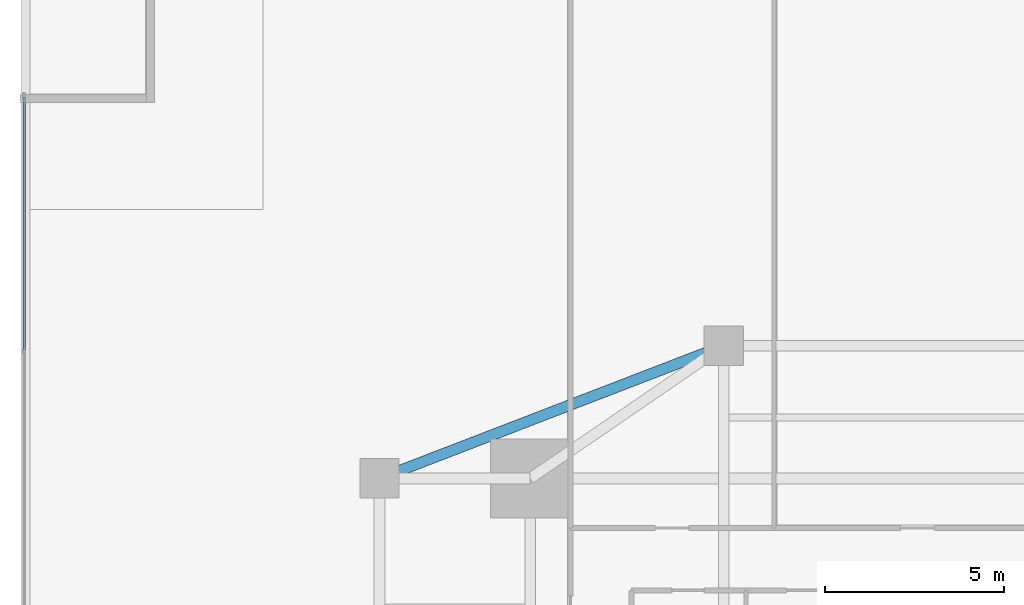
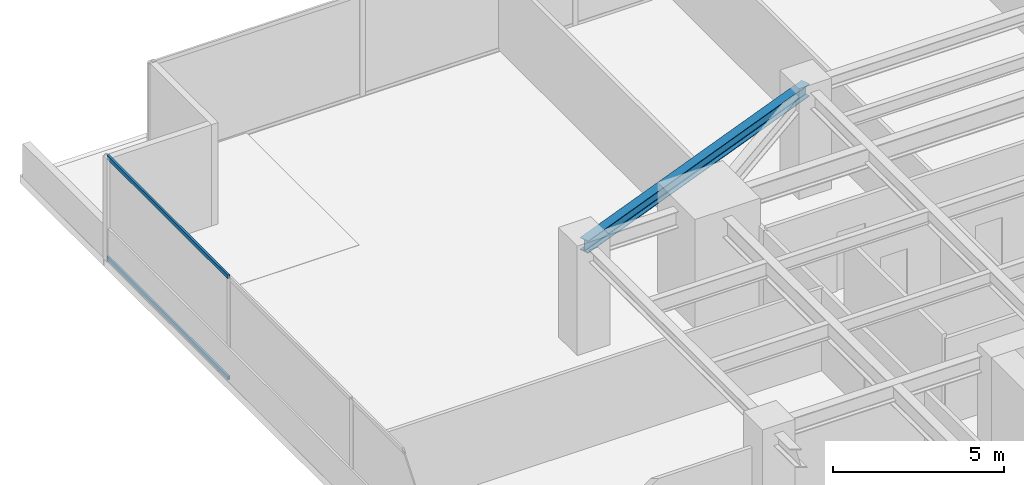
# One storey, part 16 of 30: 2 members, 1 beam, 1 element without a shape of its own.
"""IFC4 building model written with IfcOpenShell, lengths in metres."""

from ifc_helpers import new_model, si_unit, direction, frame, origin, origin_2d, place, context, subcontext, project, spatial, hollow_rectangle, i_section, extrude, source, transform, mapped, material, material_profile, profile_set, type_object, type_shapes, element, aggregate, save


model = new_model("IFC4")

# Units and contexts
model_context = context("Model", 3, precision=1e-05, world=origin(), true_north=direction((0.0, 1.0)))
body_context = subcontext(model_context, "Body", "Model", "MODEL_VIEW")
ifc_project = project(units=[si_unit("LENGTHUNIT", "METRE"), si_unit("AREAUNIT", "SQUARE_METRE"), si_unit("VOLUMEUNIT", "CUBIC_METRE"), si_unit("PLANEANGLEUNIT", "RADIAN"), si_unit("MASSUNIT", "GRAM", prefix="KILO")], contexts=[model_context])

# Site, building, storey
site_placement = place(None, origin())
site = spatial("IfcSite", under=ifc_project, at=site_placement, CompositionType="ELEMENT")
building_placement = place(site_placement, origin())
building = spatial("IfcBuilding", under=site, at=building_placement, Name="Krantzveldt Concourse Tower", CompositionType="ELEMENT")
storey_placement = place(building_placement, frame((0.0, 0.0, 25.0)))
storey = spatial("IfcBuildingStorey", under=building, at=storey_placement, Name="L05", CompositionType="ELEMENT", Elevation=25.0)

# Beam
ifc_material_1 = material(Name="Steel S355JR", Category="steel")
ifc_material_profile_1 = material_profile(ifc_material_1, i_section(OverallWidth=0.300048828125, OverallDepth=0.43994140625, WebThickness=0.011474609375, FlangeThickness=0.02099609375, FilletRadius=0.027099609375, at=origin_2d()), Name="Steel S355JR", Category="steel")
ifc_profile_set_1 = profile_set([ifc_material_profile_1], Name="Steel S355JR - HEA 450")
beam_type = type_object("IfcBeamType", Name="BM-SP-HEA450", PredefinedType="SPANDREL", material=ifc_profile_set_1)
shared_shape_1 = source(origin(), body_context, "Body", "SweptSolid", [
    extrude(i_section(OverallWidth=0.300048828125, OverallDepth=0.43994140625, WebThickness=0.011474609375, FlangeThickness=0.02099609375, FilletRadius=0.027099609375, at=origin_2d()), origin(), (0.0, 0.0, 1.0), 10.288330078125),
])
type_shapes(beam_type, [shared_shape_1])
beam_placement = place(storey_placement, frame((21.0, 37.5, 3.449951171875), z_axis=(0.933097690408, 0.359622997257, 0.0), x_axis=(-0.359622997257, 0.933097690408, 0.0)))
element("IfcBeam", 1, at=beam_placement, inside=storey, type_object=beam_type, Name="L05 Tower Girder SP-R03", PredefinedType="SPANDREL", context=body_context, shape_type="MappedRepresentation", body=[
    mapped(shared_shape_1, transform((0.0, 0.0, 0.0), x_axis=(1.0, 0.0, 0.0), y_axis=(0.0, 1.0, 0.0), z_axis=(0.0, 0.0, 1.0), scale=1.0)),
])

# Curtain wall, members
ifc_material_2 = material(Name="Anodised aluminium 6063-T6", Category="aluminium")
curtain_wall_type = type_object("IfcCurtainWallType", Name="CW2", PredefinedType="USERDEFINED", material=ifc_material_2)
curtain_wall_placement = place(storey_placement, origin())
curtain_wall = element("IfcCurtainWall", 2, at=curtain_wall_placement, inside=storey, type_object=curtain_wall_type, Name="CW-L05-F01", ObjectType="UNITISED CURTAIN WALL", PredefinedType="USERDEFINED")
ifc_material_profile_2 = material_profile(ifc_material_2, hollow_rectangle(XDim=0.070068359375, YDim=0.139892578125, WallThickness=0.0048828125, at=origin_2d()), Name="Anodised aluminium 6063-T6", Category="aluminium")
ifc_profile_set_2 = profile_set([ifc_material_profile_2], Name="Anodised aluminium 6063-T6 - ALU-TRAN 140x70x5")
member_type = type_object("IfcMemberType", Name="CW-TRN-150", PredefinedType="USERDEFINED", material=ifc_profile_set_2)
shared_shape_2 = source(origin(), body_context, "Body", "SweptSolid", [
    extrude(hollow_rectangle(XDim=0.070068359375, YDim=0.139892578125, WallThickness=0.0048828125, at=origin_2d()), origin(), (0.0, 0.0, 1.0), 7.0615234375),
])
type_shapes(member_type, [shared_shape_2])
member_1_placement = place(storey_placement, frame((11.090087890625, 48.1298828125, 0.034912109375), z_axis=(0.0, -1.0, 0.0), x_axis=(1.0, 0.0, 0.0)))
member_1 = element("IfcMember", 3, at=member_1_placement, type_object=member_type, Name="CW-Z12 transom 1.1", ObjectType="TRANSOM", PredefinedType="USERDEFINED", context=body_context, shape_type="MappedRepresentation", body=[
    mapped(shared_shape_2, transform((0.0, 0.0, 0.0), x_axis=(1.0, 0.0, 0.0), y_axis=(0.0, 1.0, 0.0), z_axis=(0.0, 0.0, 1.0), scale=1.0)),
])
member_2_placement = place(storey_placement, frame((11.090087890625, 48.1298828125, 3.635009765625), z_axis=(0.0, -1.0, 0.0), x_axis=(1.0, 0.0, 0.0)))
member_2 = element("IfcMember", 4, at=member_2_placement, type_object=member_type, Name="CW-Z12 transom 1.2", ObjectType="TRANSOM", PredefinedType="USERDEFINED", context=body_context, shape_type="MappedRepresentation", body=[
    mapped(shared_shape_2, transform((0.0, 0.0, 0.0), x_axis=(1.0, 0.0, 0.0), y_axis=(0.0, 1.0, 0.0), z_axis=(0.0, 0.0, 1.0), scale=1.0)),
])
aggregate(curtain_wall, [member_1, member_2])

save(model, "model.ifc")
